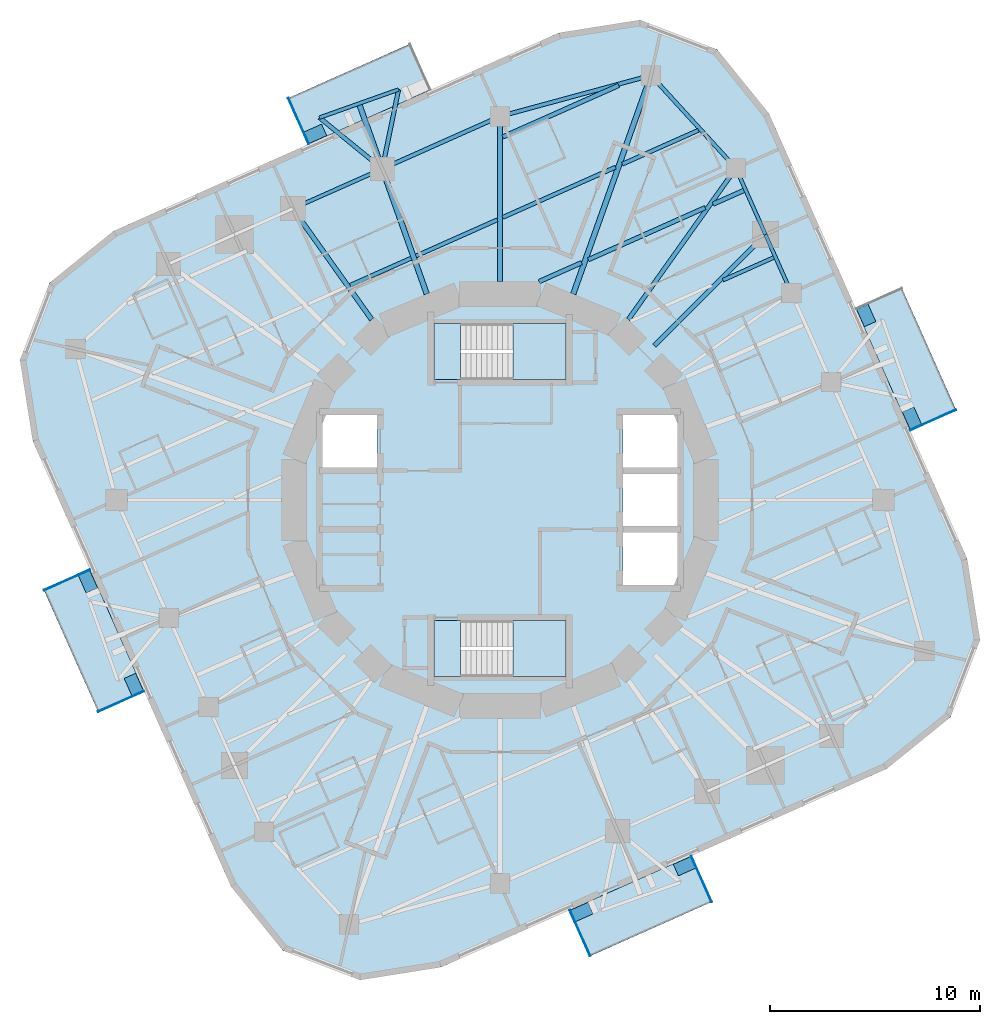
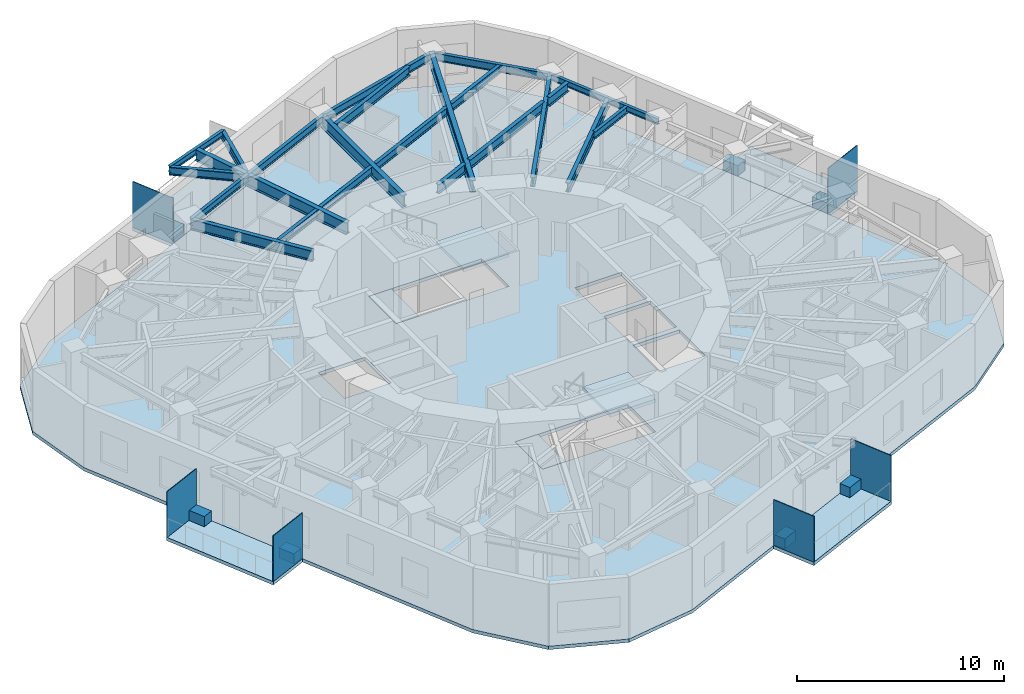
# One storey, part 3 of 12: 24 beams, 13 plates, 9 slabs, 2 elements without a shape of their own.
"""IFC4 building model written with IfcOpenShell, lengths in metres."""

from ifc_helpers import new_model, si_unit, direction, frame, origin, origin_2d, place, context, subcontext, project, spatial, polyline, rectangle, i_section, outline, extrude, material, layer, layer_set, material_profile, profile_set, type_object, element, aggregate, save


model = new_model("IFC4")

# Units and contexts
model_context = context("Model", 3, precision=1e-05, world=origin(), true_north=direction((0.0, 1.0)))
body_context = subcontext(model_context, "Body", "Model", "MODEL_VIEW")
ifc_project = project(units=[si_unit("LENGTHUNIT", "METRE"), si_unit("AREAUNIT", "SQUARE_METRE"), si_unit("VOLUMEUNIT", "CUBIC_METRE"), si_unit("PLANEANGLEUNIT", "RADIAN"), si_unit("MASSUNIT", "GRAM", prefix="KILO")], contexts=[model_context])

# Site, building, storey
site_placement = place(None, origin())
site = spatial("IfcSite", under=ifc_project, at=site_placement, CompositionType="ELEMENT")
building_placement = place(site_placement, origin())
building = spatial("IfcBuilding", under=site, at=building_placement, Name="Nakasero Lantern House", CompositionType="ELEMENT")
storey_placement = place(building_placement, frame((0.0, 0.0, 197.85009765625)))
storey = spatial("IfcBuildingStorey", under=building, at=storey_placement, Name="L48", CompositionType="ELEMENT", Elevation=197.85009765625)

# Beams
ifc_material_1 = material(Name="Steel S355", Category="steel")
ifc_material_profile_1 = material_profile(ifc_material_1, i_section(OverallWidth=0.199462890625, OverallDepth=0.491943359375, WebThickness=0.01806640625, FlangeThickness=0.031982421875, FilletRadius=0.01025390625, at=origin_2d()), Name="UB 457x191x161")
ifc_profile_set_1 = profile_set([ifc_material_profile_1], Name="Steel S355")
beam_type_1 = type_object("IfcBeamType", Name="Balcony splay beam UB 457x191x161", PredefinedType="BEAM", material=ifc_profile_set_1)
beam_1_placement = place(storey_placement, frame((-5.611328125, 15.781982421875, 3.40380859375), z_axis=(-0.774833215206, 0.632165712937, 0.0), x_axis=(-0.632165712937, -0.774833215206, 0.0)))
element("IfcBeam", 1, at=beam_1_placement, inside=storey, type_object=beam_type_1, Name="Balcony splay beam L49 B5-C10A", PredefinedType="BEAM", context=body_context, shape_type="SweptSolid", body=[
    extrude(i_section(OverallWidth=0.199462890625, OverallDepth=0.491943359375, WebThickness=0.01806640625, FlangeThickness=0.031982421875, FilletRadius=0.01025390625, at=origin_2d()), origin(), (0.0, 0.0, 1.0), 3.85888671875),
])
beam_2_placement = place(storey_placement, frame((-5.611328125, 15.781982421875, 3.40380859375), z_axis=(0.201831438605, 0.979420272605, 0.0), x_axis=(-0.979420272605, 0.201831438605, 0.0)))
element("IfcBeam", 2, at=beam_2_placement, inside=storey, type_object=beam_type_1, Name="Balcony splay beam L49 B5-C10B", PredefinedType="BEAM", context=body_context, shape_type="SweptSolid", body=[
    extrude(i_section(OverallWidth=0.199462890625, OverallDepth=0.491943359375, WebThickness=0.01806640625, FlangeThickness=0.031982421875, FilletRadius=0.01025390625, at=origin_2d()), origin(), (0.0, 0.0, 1.0), 3.858642578125),
])
ifc_material_2 = material(Name="Steel S355", Category="steel")
ifc_material_profile_2 = material_profile(ifc_material_2, i_section(OverallWidth=0.17138671875, OverallDepth=0.35498046875, WebThickness=0.00732421875, FlangeThickness=0.011474609375, FilletRadius=0.01025390625, at=origin_2d()), Name="UB 356x171x51")
ifc_profile_set_2 = profile_set([ifc_material_profile_2], Name="Steel S355")
beam_type_2 = type_object("IfcBeamType", Name="Balcony tie beam UB 356x171x51", PredefinedType="BEAM", material=ifc_profile_set_2)
beam_3_placement = place(storey_placement, frame((-8.601318359375, 18.221435546875, 3.472412109375), z_axis=(0.94222839004, 0.334971134582, 0.0), x_axis=(-0.334971134582, 0.94222839004, 0.0)))
element("IfcBeam", 3, at=beam_3_placement, inside=storey, type_object=beam_type_2, Name="Balcony tie beam L49 B5-C10", PredefinedType="BEAM", context=body_context, shape_type="SweptSolid", body=[
    extrude(i_section(OverallWidth=0.17138671875, OverallDepth=0.35498046875, WebThickness=0.00732421875, FlangeThickness=0.011474609375, FilletRadius=0.01025390625, at=origin_2d()), origin(), (0.0, 0.0, 1.0), 4.0),
])
ifc_material_3 = material(Name="Steel S355", Category="steel")
ifc_material_profile_3 = material_profile(ifc_material_3, i_section(OverallWidth=0.177978515625, OverallDepth=0.406494140625, WebThickness=0.0078125, FlangeThickness=0.0126953125, FilletRadius=0.01025390625, at=origin_2d()), Name="UB 406x178x60")
ifc_profile_set_3 = profile_set([ifc_material_profile_3], Name="Steel S355")
beam_type_3 = type_object("IfcBeamType", Name="Infill beam UB 406x178x60", PredefinedType="JOIST", material=ifc_profile_set_3)
beam_4_placement = place(storey_placement, frame((10.626708984375, 10.47802734375, 3.44677734375), z_axis=(0.913529602849, 0.406772251658, 0.0), x_axis=(-0.406772251658, 0.913529602849, 0.0)))
element("IfcBeam", 4, at=beam_4_placement, inside=storey, type_object=beam_type_3, Name="Infill beam L49 09.4", PredefinedType="JOIST", context=body_context, shape_type="SweptSolid", body=[
    extrude(i_section(OverallWidth=0.177978515625, OverallDepth=0.406494140625, WebThickness=0.0078125, FlangeThickness=0.0126953125, FilletRadius=0.01025390625, at=origin_2d()), origin(), (0.0, 0.0, 1.0), 2.64453125),
])
ifc_material_4 = material(Name="Steel S355", Category="steel")
ifc_material_profile_4 = material_profile(ifc_material_4, i_section(OverallWidth=0.18994140625, OverallDepth=0.453369140625, WebThickness=0.008544921875, FlangeThickness=0.0126953125, FilletRadius=0.01025390625, at=origin_2d()), Name="UB 457x191x67")
ifc_profile_set_4 = profile_set([ifc_material_profile_4], Name="Steel S355")
beam_type_4 = type_object("IfcBeamType", Name="Infill beam UB 457x191x67", PredefinedType="JOIST", material=ifc_profile_set_4)
beam_5_placement = place(storey_placement, frame((-7.1357421875, 10.232177734375, 3.423095703125), z_axis=(0.913535738899, 0.406758471029, 0.0), x_axis=(-0.406758471029, 0.913535738899, 0.0)))
element("IfcBeam", 5, at=beam_5_placement, inside=storey, type_object=beam_type_4, Name="Infill beam L49 11.5", PredefinedType="JOIST", context=body_context, shape_type="SweptSolid", body=[
    extrude(i_section(OverallWidth=0.18994140625, OverallDepth=0.453369140625, WebThickness=0.008544921875, FlangeThickness=0.0126953125, FilletRadius=0.01025390625, at=origin_2d()), origin(), (0.0, 0.0, 1.0), 3.17822265625),
])
beam_6_placement = place(storey_placement, frame((-4.0, 11.62841796875, 3.423095703125), z_axis=(0.913552455182, 0.40672092598, 0.0), x_axis=(-0.40672092598, 0.913552455182, 0.0)))
element("IfcBeam", 6, at=beam_6_placement, inside=storey, type_object=beam_type_4, Name="Infill beam L49 11.6", PredefinedType="JOIST", context=body_context, shape_type="SweptSolid", body=[
    extrude(i_section(OverallWidth=0.18994140625, OverallDepth=0.453369140625, WebThickness=0.008544921875, FlangeThickness=0.0126953125, FilletRadius=0.01025390625, at=origin_2d()), origin(), (0.0, 0.0, 1.0), 4.238525390625),
])
beam_7_placement = place(storey_placement, frame((0.1279296875, 13.46630859375, 3.423095703125), z_axis=(0.913542777248, 0.406742663287, 0.0), x_axis=(-0.406742663287, 0.913542777248, 0.0)))
element("IfcBeam", 7, at=beam_7_placement, inside=storey, type_object=beam_type_4, Name="Infill beam L49 11.7", PredefinedType="JOIST", context=body_context, shape_type="SweptSolid", body=[
    extrude(i_section(OverallWidth=0.18994140625, OverallDepth=0.453369140625, WebThickness=0.008544921875, FlangeThickness=0.0126953125, FilletRadius=0.01025390625, at=origin_2d()), origin(), (0.0, 0.0, 1.0), 5.88525390625),
])
beam_8_placement = place(storey_placement, frame((5.824462890625, 16.00244140625, 3.423095703125), z_axis=(0.91354552237, 0.406736497695, 0.0), x_axis=(-0.406736497695, 0.91354552237, 0.0)))
element("IfcBeam", 8, at=beam_8_placement, inside=storey, type_object=beam_type_4, Name="Infill beam L49 11.8", PredefinedType="JOIST", context=body_context, shape_type="SweptSolid", body=[
    extrude(i_section(OverallWidth=0.18994140625, OverallDepth=0.453369140625, WebThickness=0.008544921875, FlangeThickness=0.0126953125, FilletRadius=0.01025390625, at=origin_2d()), origin(), (0.0, 0.0, 1.0), 3.9765625),
])
ifc_material_5 = material(Name="Steel S355", Category="steel")
ifc_material_profile_5 = material_profile(ifc_material_5, i_section(OverallWidth=0.2099609375, OverallDepth=0.53662109375, WebThickness=0.0107421875, FlangeThickness=0.017333984375, FilletRadius=0.0126953125, at=origin_2d()), Name="UB 533x210x101")
ifc_profile_set_5 = profile_set([ifc_material_profile_5], Name="Steel S355")
beam_type_5 = type_object("IfcBeamType", Name="Infill beam UB 533x210x101", PredefinedType="JOIST", material=ifc_profile_set_5)
beam_9_placement = place(storey_placement, frame((0.1279296875, 17.29736328125, 3.381591796875), z_axis=(0.913537020085, 0.406755593611, 0.0), x_axis=(-0.406755593611, 0.913537020085, 0.0)))
element("IfcBeam", 9, at=beam_9_placement, inside=storey, type_object=beam_type_5, Name="Infill beam L49 12.3", PredefinedType="JOIST", context=body_context, shape_type="SweptSolid", body=[
    extrude(i_section(OverallWidth=0.2099609375, OverallDepth=0.53662109375, WebThickness=0.0107421875, FlangeThickness=0.017333984375, FilletRadius=0.0126953125, at=origin_2d()), origin(), (0.0, 0.0, 1.0), 6.0556640625),
])
ifc_material_6 = material(Name="Steel S355", Category="steel")
ifc_material_profile_6 = material_profile(ifc_material_6, i_section(OverallWidth=0.208740234375, OverallDepth=0.5283203125, WebThickness=0.009521484375, FlangeThickness=0.01318359375, FilletRadius=0.0126953125, at=origin_2d()), Name="UB 533x210x82")
ifc_profile_set_6 = profile_set([ifc_material_profile_6], Name="Steel S355")
beam_type_6 = type_object("IfcBeamType", Name="Infill beam UB 533x210x82", PredefinedType="JOIST", material=ifc_profile_set_6)
beam_10_placement = place(storey_placement, frame((1.86376953125, 10.407958984375, 3.3857421875), z_axis=(0.913538457968, 0.406752364238, 0.0), x_axis=(-0.406752364238, 0.913538457968, 0.0)))
element("IfcBeam", 10, at=beam_10_placement, inside=storey, type_object=beam_type_6, Name="Infill beam L49 10.3", PredefinedType="JOIST", context=body_context, shape_type="SweptSolid", body=[
    extrude(i_section(OverallWidth=0.208740234375, OverallDepth=0.5283203125, WebThickness=0.009521484375, FlangeThickness=0.01318359375, FilletRadius=0.0126953125, at=origin_2d()), origin(), (0.0, 0.0, 1.0), 2.213623046875),
])
beam_11_placement = place(storey_placement, frame((4.2060546875, 11.45068359375, 3.3857421875), z_axis=(0.913537341067, 0.406754872713, 0.0), x_axis=(-0.406754872713, 0.913537341067, 0.0)))
element("IfcBeam", 11, at=beam_11_placement, inside=storey, type_object=beam_type_6, Name="Infill beam L49 10.4", PredefinedType="JOIST", context=body_context, shape_type="SweptSolid", body=[
    extrude(i_section(OverallWidth=0.208740234375, OverallDepth=0.5283203125, WebThickness=0.009521484375, FlangeThickness=0.01318359375, FilletRadius=0.0126953125, at=origin_2d()), origin(), (0.0, 0.0, 1.0), 6.099365234375),
])
beam_12_placement = place(storey_placement, frame((10.155029296875, 14.099365234375, 3.3857421875), z_axis=(0.913522313414, 0.406788621884, 0.0), x_axis=(-0.406788621884, 0.913522313414, 0.0)))
element("IfcBeam", 12, at=beam_12_placement, inside=storey, type_object=beam_type_6, Name="Infill beam L49 10.5", PredefinedType="JOIST", context=body_context, shape_type="SweptSolid", body=[
    extrude(i_section(OverallWidth=0.208740234375, OverallDepth=0.5283203125, WebThickness=0.009521484375, FlangeThickness=0.01318359375, FilletRadius=0.0126953125, at=origin_2d()), origin(), (0.0, 0.0, 1.0), 1.6025390625),
])
ifc_material_7 = material(Name="Steel S355", Category="steel")
ifc_material_profile_7 = material_profile(ifc_material_7, i_section(OverallWidth=0.2099609375, OverallDepth=0.53662109375, WebThickness=0.0107421875, FlangeThickness=0.017333984375, FilletRadius=0.0126953125, at=origin_2d()), Name="UB 533x210x101")
ifc_profile_set_7 = profile_set([ifc_material_profile_7], Name="Steel S355")
beam_type_7 = type_object("IfcBeamType", Name="Primary beam UB 533x210x101, span 6 to 9 m", PredefinedType="BEAM", material=ifc_profile_set_7)
beam_13_placement = place(storey_placement, frame((12.64892578125, 12.64892578125, 3.381591796875), z_axis=(-0.707106781187, -0.707106781187, 0.0), x_axis=(0.707106781187, -0.707106781187, 0.0)))
element("IfcBeam", 13, at=beam_13_placement, inside=storey, type_object=beam_type_7, Name="Primary beam L49 B5-C06", PredefinedType="BEAM", context=body_context, shape_type="SweptSolid", body=[
    extrude(i_section(OverallWidth=0.2099609375, OverallDepth=0.53662109375, WebThickness=0.0107421875, FlangeThickness=0.017333984375, FilletRadius=0.0126953125, at=origin_2d()), origin(), (0.0, 0.0, 1.0), 7.48046875),
])
beam_14_placement = place(storey_placement, frame((11.241943359375, 15.808837890625, 3.381591796875), z_axis=(-0.579536824926, -0.814946052543, 0.0), x_axis=(0.814946052543, -0.579536824926, 0.0)))
element("IfcBeam", 14, at=beam_14_placement, inside=storey, type_object=beam_type_7, Name="Primary beam L49 B5-C07", PredefinedType="BEAM", context=body_context, shape_type="SweptSolid", body=[
    extrude(i_section(OverallWidth=0.2099609375, OverallDepth=0.53662109375, WebThickness=0.0107421875, FlangeThickness=0.017333984375, FilletRadius=0.0126953125, at=origin_2d()), origin(), (0.0, 0.0, 1.0), 8.84326171875),
])
ifc_material_8 = material(Name="Steel S355", Category="steel")
ifc_material_profile_8 = material_profile(ifc_material_8, i_section(OverallWidth=0.22900390625, OverallDepth=0.6123046875, WebThickness=0.011962890625, FlangeThickness=0.01953125, FilletRadius=0.0126953125, at=origin_2d()), Name="UB 610x229x125")
ifc_profile_set_8 = profile_set([ifc_material_profile_8], Name="Steel S355")
beam_type_8 = type_object("IfcBeamType", Name="Primary beam UB 610x229x125, span 6 to 9 m", PredefinedType="BEAM", material=ifc_profile_set_8)
beam_15_placement = place(storey_placement, frame((-9.87353515625, 13.884521484375, 3.34375), z_axis=(0.57954101868, -0.8149430702, 0.0), x_axis=(0.8149430702, 0.57954101868, 0.0)))
element("IfcBeam", 15, at=beam_15_placement, inside=storey, type_object=beam_type_8, Name="Primary beam L49 B5-C11", PredefinedType="BEAM", context=body_context, shape_type="SweptSolid", body=[
    extrude(i_section(OverallWidth=0.22900390625, OverallDepth=0.6123046875, WebThickness=0.011962890625, FlangeThickness=0.01953125, FilletRadius=0.0126953125, at=origin_2d()), origin(), (0.0, 0.0, 1.0), 6.48193359375),
])
ifc_material_9 = material(Name="Steel S355", Category="steel")
ifc_material_profile_9 = material_profile(ifc_material_9, i_section(OverallWidth=0.253662109375, OverallDepth=0.68359375, WebThickness=0.012451171875, FlangeThickness=0.01904296875, FilletRadius=0.01513671875, at=origin_2d()), Name="UB 686x254x140")
ifc_profile_set_9 = profile_set([ifc_material_profile_9], Name="Steel S355")
beam_type_9 = type_object("IfcBeamType", Name="Primary beam UB 686x254x140, span 6 to 9 m", PredefinedType="BEAM", material=ifc_profile_set_9)
beam_16_placement = place(storey_placement, frame((-6.717041015625, 18.891357421875, 3.30810546875), z_axis=(0.335030177005, -0.942207397814, 0.0), x_axis=(0.942207397814, 0.335030177005, 0.0)))
element("IfcBeam", 16, at=beam_16_placement, inside=storey, type_object=beam_type_9, Name="Primary beam L49 B5-C10", PredefinedType="BEAM", context=body_context, shape_type="SweptSolid", body=[
    extrude(i_section(OverallWidth=0.253662109375, OverallDepth=0.68359375, WebThickness=0.012451171875, FlangeThickness=0.01904296875, FilletRadius=0.01513671875, at=origin_2d()), origin(), (0.0, 0.0, 1.0), 9.62841796875),
])
ifc_material_10 = material(Name="Steel S355", Category="steel")
ifc_material_profile_10 = material_profile(ifc_material_10, i_section(OverallWidth=0.253662109375, OverallDepth=0.68359375, WebThickness=0.012451171875, FlangeThickness=0.01904296875, FilletRadius=0.01513671875, at=origin_2d()), Name="UB 686x254x140")
ifc_profile_set_10 = profile_set([ifc_material_profile_10], Name="Steel S355")
beam_type_10 = type_object("IfcBeamType", Name="Primary beam UB 686x254x140, span 9 to 12 m", PredefinedType="BEAM", material=ifc_profile_set_10)
beam_17_placement = place(storey_placement, frame((7.19482421875, 20.2353515625, 3.30810546875), z_axis=(-0.335020995468, -0.942210662535, 0.0), x_axis=(0.942210662535, -0.335020995468, 0.0)))
element("IfcBeam", 17, at=beam_17_placement, inside=storey, type_object=beam_type_10, Name="Primary beam L49 B5-C08", PredefinedType="BEAM", context=body_context, shape_type="SweptSolid", body=[
    extrude(i_section(OverallWidth=0.253662109375, OverallDepth=0.68359375, WebThickness=0.012451171875, FlangeThickness=0.01904296875, FilletRadius=0.01513671875, at=origin_2d()), origin(), (0.0, 0.0, 1.0), 11.054931640625),
])
ifc_material_11 = material(Name="Steel S355", Category="steel")
ifc_material_profile_11 = material_profile(ifc_material_11, i_section(OverallWidth=0.255859375, OverallDepth=0.69287109375, WebThickness=0.014404296875, FlangeThickness=0.023681640625, FilletRadius=0.01513671875, at=origin_2d()), Name="UB 686x254x170")
ifc_profile_set_11 = profile_set([ifc_material_profile_11], Name="Steel S355")
beam_type_11 = type_object("IfcBeamType", Name="Primary beam UB 686x254x170, span 6 to 9 m", PredefinedType="BEAM", material=ifc_profile_set_11)
beam_18_placement = place(storey_placement, frame((0.0, 18.280517578125, 3.303466796875), z_axis=(0.0, -1.0, 0.0), x_axis=(1.0, 0.0, 0.0)))
element("IfcBeam", 18, at=beam_18_placement, inside=storey, type_object=beam_type_11, Name="Primary beam L49 B5-C09", PredefinedType="BEAM", context=body_context, shape_type="SweptSolid", body=[
    extrude(i_section(OverallWidth=0.255859375, OverallDepth=0.69287109375, WebThickness=0.014404296875, FlangeThickness=0.023681640625, FilletRadius=0.01513671875, at=origin_2d()), origin(), (0.0, 0.0, 1.0), 7.87255859375),
])
ifc_material_12 = material(Name="Steel S355", Category="steel")
ifc_material_profile_12 = material_profile(ifc_material_12, i_section(OverallWidth=0.17138671875, OverallDepth=0.35498046875, WebThickness=0.00732421875, FlangeThickness=0.011474609375, FilletRadius=0.01025390625, at=origin_2d()), Name="UB 356x171x51")
ifc_profile_set_12 = profile_set([ifc_material_profile_12], Name="Steel S355")
beam_type_12 = type_object("IfcBeamType", Name="Ring beam UB 356x171x51", PredefinedType="BEAM", material=ifc_profile_set_12)
beam_19_placement = place(storey_placement, frame((13.884521484375, 9.87353515625, 3.472412109375), z_axis=(-0.40671251915, 0.913556197925, 0.0), x_axis=(-0.913556197925, -0.40671251915, 0.0)))
element("IfcBeam", 19, at=beam_19_placement, inside=storey, type_object=beam_type_12, Name="Ring beam L49 B5-C05", PredefinedType="BEAM", context=body_context, shape_type="SweptSolid", body=[
    extrude(i_section(OverallWidth=0.17138671875, OverallDepth=0.35498046875, WebThickness=0.00732421875, FlangeThickness=0.011474609375, FilletRadius=0.01025390625, at=origin_2d()), origin(), (0.0, 0.0, 1.0), 3.0380859375),
])
beam_20_placement = place(storey_placement, frame((12.64892578125, 12.64892578125, 3.472412109375), z_axis=(-0.406760506795, 0.913534832457, 0.0), x_axis=(-0.913534832457, -0.406760506795, 0.0)))
element("IfcBeam", 20, at=beam_20_placement, inside=storey, type_object=beam_type_12, Name="Ring beam L49 B5-C06", PredefinedType="BEAM", context=body_context, shape_type="SweptSolid", body=[
    extrude(i_section(OverallWidth=0.17138671875, OverallDepth=0.35498046875, WebThickness=0.00732421875, FlangeThickness=0.011474609375, FilletRadius=0.01025390625, at=origin_2d()), origin(), (0.0, 0.0, 1.0), 3.458984375),
])
ifc_material_13 = material(Name="Steel S355", Category="steel")
ifc_material_profile_13 = material_profile(ifc_material_13, i_section(OverallWidth=0.177978515625, OverallDepth=0.406494140625, WebThickness=0.0078125, FlangeThickness=0.0126953125, FilletRadius=0.01025390625, at=origin_2d()), Name="UB 406x178x60")
ifc_profile_set_13 = profile_set([ifc_material_profile_13], Name="Steel S355")
beam_type_13 = type_object("IfcBeamType", Name="Ring beam UB 406x178x60", PredefinedType="BEAM", material=ifc_profile_set_13)
beam_21_placement = place(storey_placement, frame((-5.611328125, 15.781982421875, 3.44677734375), z_axis=(-0.913561058639, -0.406701600856, 0.0), x_axis=(0.406701600856, -0.913561058639, 0.0)))
element("IfcBeam", 21, at=beam_21_placement, inside=storey, type_object=beam_type_13, Name="Ring beam L49 B5-C10", PredefinedType="BEAM", context=body_context, shape_type="SweptSolid", body=[
    extrude(i_section(OverallWidth=0.177978515625, OverallDepth=0.406494140625, WebThickness=0.0078125, FlangeThickness=0.0126953125, FilletRadius=0.01025390625, at=origin_2d()), origin(), (0.0, 0.0, 1.0), 4.66552734375),
])
ifc_material_14 = material(Name="Steel S355", Category="steel")
ifc_material_profile_14 = material_profile(ifc_material_14, i_section(OverallWidth=0.18994140625, OverallDepth=0.453369140625, WebThickness=0.008544921875, FlangeThickness=0.0126953125, FilletRadius=0.01025390625, at=origin_2d()), Name="UB 457x191x67")
ifc_profile_set_14 = profile_set([ifc_material_profile_14], Name="Steel S355")
beam_type_14 = type_object("IfcBeamType", Name="Ring beam UB 457x191x67", PredefinedType="BEAM", material=ifc_profile_set_14)
beam_22_placement = place(storey_placement, frame((11.241943359375, 15.808837890625, 3.423095703125), z_axis=(-0.674771099966, 0.73802707447, 0.0), x_axis=(-0.73802707447, -0.674771099966, 0.0)))
element("IfcBeam", 22, at=beam_22_placement, inside=storey, type_object=beam_type_14, Name="Ring beam L49 B5-C07", PredefinedType="BEAM", context=body_context, shape_type="SweptSolid", body=[
    extrude(i_section(OverallWidth=0.18994140625, OverallDepth=0.453369140625, WebThickness=0.008544921875, FlangeThickness=0.0126953125, FilletRadius=0.01025390625, at=origin_2d()), origin(), (0.0, 0.0, 1.0), 5.997802734375),
])
beam_23_placement = place(storey_placement, frame((7.19482421875, 20.2353515625, 3.423095703125), z_axis=(-0.965015017941, -0.26219461312, 0.0), x_axis=(0.26219461312, -0.965015017941, 0.0)))
element("IfcBeam", 23, at=beam_23_placement, inside=storey, type_object=beam_type_14, Name="Ring beam L49 B5-C08", PredefinedType="BEAM", context=body_context, shape_type="SweptSolid", body=[
    extrude(i_section(OverallWidth=0.18994140625, OverallDepth=0.453369140625, WebThickness=0.008544921875, FlangeThickness=0.0126953125, FilletRadius=0.01025390625, at=origin_2d()), origin(), (0.0, 0.0, 1.0), 7.45556640625),
])
ifc_material_15 = material(Name="Steel S355", Category="steel")
ifc_material_profile_15 = material_profile(ifc_material_15, i_section(OverallWidth=0.19140625, OverallDepth=0.4599609375, WebThickness=0.010009765625, FlangeThickness=0.01611328125, FilletRadius=0.01025390625, at=origin_2d()), Name="UB 457x191x82")
ifc_profile_set_15 = profile_set([ifc_material_profile_15], Name="Steel S355")
beam_type_15 = type_object("IfcBeamType", Name="Ring beam UB 457x191x82", PredefinedType="BEAM", material=ifc_profile_set_15)
beam_24_placement = place(storey_placement, frame((0.0, 18.280517578125, 3.419921875), z_axis=(-0.913532698569, -0.406765299215, 0.0), x_axis=(0.406765299215, -0.913532698569, 0.0)))
element("IfcBeam", 24, at=beam_24_placement, inside=storey, type_object=beam_type_15, Name="Ring beam L49 B5-C09", PredefinedType="BEAM", context=body_context, shape_type="SweptSolid", body=[
    extrude(i_section(OverallWidth=0.19140625, OverallDepth=0.4599609375, WebThickness=0.010009765625, FlangeThickness=0.01611328125, FilletRadius=0.01025390625, at=origin_2d()), origin(), (0.0, 0.0, 1.0), 6.142333984375),
])

# Plates
ifc_material_16 = material(Name="Aluminium 6063-T6", Category="aluminium")
ifc_layer_1 = layer(ifc_material_16, 0.60009765625)
ifc_layer_set_1 = layer_set([ifc_layer_1], Name="Balcony planter 600x900")
plate_type_1 = type_object("IfcPlateType", Name="Balcony planter 600x900", PredefinedType="USERDEFINED", material=ifc_layer_set_1)
for number, where, z_axis, x_axis, name in (
    (25, (19.629638671875, 3.90283203125, -0.000244140625), (0.0, 0.0, 1.0), (0.913545457643, 0.406736643076, 0.0), "Balcony PLANTER L48 BAL0A"),
    (26, (17.452880859375, 8.791748046875, -0.000244140625), (0.0, 0.0, 1.0), (0.913545457643, 0.406736643076, 0.0), "Balcony PLANTER L48 BAL0B"),
    (27, (-8.791748046875, 17.452880859375, -0.000244140625), (0.0, 0.0, 1.0), (-0.406736643076, 0.913545457643, 0.0), "Balcony PLANTER L48 BAL1B"),
    (28, (-19.629638671875, -3.90283203125, -0.000244140625), (0.0, 0.0, 1.0), (-0.913545457643, -0.406736643076, 0.0), "Balcony PLANTER L48 BAL2A"),
    (29, (-17.452880859375, -8.791748046875, -0.000244140625), (0.0, 0.0, 1.0), (-0.913545457643, -0.406736643076, 0.0), "Balcony PLANTER L48 BAL2B"),
    (30, (3.90283203125, -19.629638671875, -0.000244140625), (0.0, 0.0, 1.0), (0.406736643076, -0.913545457643, 0.0), "Balcony PLANTER L48 BAL3A"),
    (31, (8.791748046875, -17.452880859375, -0.000244140625), (0.0, 0.0, 1.0), (0.406736643076, -0.913545457643, 0.0), "Balcony PLANTER L48 BAL3B"),
):
    element("IfcPlate", number, at=place(storey_placement, frame(where, z_axis=z_axis, x_axis=x_axis)), inside=storey, type_object=plate_type_1, Name=name, ObjectType="PLANTER", PredefinedType="USERDEFINED", context=body_context, shape_type="SweptSolid", body=[
        extrude(rectangle(XDim=0.60009765625, YDim=0.89990234375, at=origin_2d()), origin(), (0.0, 0.0, 1.0), 0.60009765625),
    ])
ifc_material_17 = material(Name="Aluminium 6063-T6", Category="aluminium")
ifc_layer_2 = layer(ifc_material_17, 0.0400390625)
ifc_layer_set_2 = layer_set([ifc_layer_2], Name="Balcony screen 2400x2700")
plate_type_2 = type_object("IfcPlateType", Name="Balcony screen 2400x2700", PredefinedType="SHEET", material=ifc_layer_set_2)
for number, where, z_axis, x_axis, name in (
    (32, (20.6328125, 3.813232421875, 0.0), (0.0, 0.0, 1.0), (0.913545457643, 0.406736643076, 0.0), "Balcony SCREEN L48 BAL0A"),
    (33, (-9.59716796875, 18.0576171875, 0.0), (0.0, 0.0, 1.0), (-0.406736643076, 0.913545457643, 0.0), "Balcony SCREEN L48 BAL1B"),
    (34, (-20.6328125, -3.813232421875, 0.0), (0.0, 0.0, 1.0), (-0.913545457643, -0.406736643076, 0.0), "Balcony SCREEN L48 BAL2A"),
    (35, (-18.0576171875, -9.59716796875, 0.0), (0.0, 0.0, 1.0), (-0.913545457643, -0.406736643076, 0.0), "Balcony SCREEN L48 BAL2B"),
    (36, (3.813232421875, -20.6328125, 0.0), (0.0, 0.0, 1.0), (0.406736643076, -0.913545457643, 0.0), "Balcony SCREEN L48 BAL3A"),
    (37, (9.59716796875, -18.0576171875, 0.0), (0.0, 0.0, 1.0), (0.406736643076, -0.913545457643, 0.0), "Balcony SCREEN L48 BAL3B"),
):
    element("IfcPlate", number, at=place(storey_placement, frame(where, z_axis=z_axis, x_axis=x_axis)), inside=storey, type_object=plate_type_2, Name=name, PredefinedType="SHEET", context=body_context, shape_type="SweptSolid", body=[
        extrude(rectangle(XDim=2.39990234375, YDim=0.0400390625, at=origin_2d()), origin(), (0.0, 0.0, 1.0), 2.699951171875),
    ])

# Slabs
ifc_material_18 = material(Name="Concrete C35/45", Category="concrete")
ifc_layer_3 = layer(ifc_material_18, 0.199951171875)
ifc_layer_set_3 = layer_set([ifc_layer_3], Name="Balcony slab 200")
slab_type_1 = type_object("IfcSlabType", Name="Balcony slab 200", PredefinedType="USERDEFINED", material=ifc_layer_set_3)
slab_1_placement = place(storey_placement, frame((0.0, 0.0, -0.2001953125)))
element("IfcSlab", 38, at=slab_1_placement, inside=storey, type_object=slab_type_1, Name="Balcony L48 BAL0", ObjectType="BALCONY", PredefinedType="USERDEFINED", context=body_context, shape_type="SweptSolid", body=[
    extrude(outline(polyline([(19.544677734375, 3.306884765625), (21.7373046875, 4.282958984375), (19.145751953125, 10.103515625), (16.953125, 9.12744140625), (19.544677734375, 3.306884765625)])), origin(), (0.0, 0.0, 1.0), 0.2001953125),
])
slab_2_placement = place(storey_placement, frame((0.0, 0.0, -0.2001953125)))
element("IfcSlab", 39, at=slab_2_placement, inside=storey, type_object=slab_type_1, Name="Balcony L48 BAL1", ObjectType="BALCONY", PredefinedType="USERDEFINED", context=body_context, shape_type="SweptSolid", body=[
    extrude(outline(polyline([(-3.306884765625, 19.544677734375), (-4.282958984375, 21.7373046875), (-10.103515625, 19.145751953125), (-9.12744140625, 16.953125), (-3.306884765625, 19.544677734375)])), origin(), (0.0, 0.0, 1.0), 0.2001953125),
])
slab_3_placement = place(storey_placement, frame((0.0, 0.0, -0.2001953125)))
element("IfcSlab", 40, at=slab_3_placement, inside=storey, type_object=slab_type_1, Name="Balcony L48 BAL2", ObjectType="BALCONY", PredefinedType="USERDEFINED", context=body_context, shape_type="SweptSolid", body=[
    extrude(outline(polyline([(-19.544677734375, -3.306884765625), (-21.7373046875, -4.282958984375), (-19.145751953125, -10.103515625), (-16.953125, -9.12744140625), (-19.544677734375, -3.306884765625)])), origin(), (0.0, 0.0, 1.0), 0.2001953125),
])
slab_4_placement = place(storey_placement, frame((0.0, 0.0, -0.2001953125)))
element("IfcSlab", 41, at=slab_4_placement, inside=storey, type_object=slab_type_1, Name="Balcony L48 BAL3", ObjectType="BALCONY", PredefinedType="USERDEFINED", context=body_context, shape_type="SweptSolid", body=[
    extrude(outline(polyline([(3.306884765625, -19.544677734375), (4.282958984375, -21.7373046875), (10.103515625, -19.145751953125), (9.12744140625, -16.953125), (3.306884765625, -19.544677734375)])), origin(), (0.0, 0.0, 1.0), 0.2001953125),
])
ifc_material_19 = material(Name="Concrete C35/45", Category="concrete")
ifc_layer_4 = layer(ifc_material_19, 0.199951171875)
ifc_layer_set_4 = layer_set([ifc_layer_4], Name="Composite floor slab 200")
slab_type_2 = type_object("IfcSlabType", Name="Composite floor slab 200", PredefinedType="FLOOR", material=ifc_layer_set_4)
slab_5_placement = place(storey_placement, frame((0.0, 0.0, -0.2001953125)))
element("IfcSlab", 42, at=slab_5_placement, inside=storey, type_object=slab_type_2, Name="Floor slab L48", PredefinedType="FLOOR", context=body_context, shape_type="SweptSolid", body=[
    extrude(outline(polyline([(12.822021484375, 18.406494140625), (10.34619140625, 21.4638671875), (6.67333984375, 22.87353515625), (2.787841796875, 22.25830078125), (-18.406494140625, 12.822021484375), (-21.4638671875, 10.34619140625), (-22.87353515625, 6.67333984375), (-22.25830078125, 2.787841796875), (-12.822021484375, -18.406494140625), (-10.34619140625, -21.4638671875), (-6.67333984375, -22.87353515625), (-2.787841796875, -22.25830078125), (18.406494140625, -12.822021484375), (21.4638671875, -10.34619140625), (22.87353515625, -6.67333984375), (22.25830078125, -2.787841796875), (12.822021484375, 18.406494140625)]), holes=[polyline([(-8.449951171875, 1.550048828125), (-5.85009765625, 1.550048828125), (-5.85009765625, 4.050048828125), (-8.449951171875, 4.050048828125), (-8.449951171875, 1.550048828125)]), polyline([(5.85009765625, -4.050048828125), (8.449951171875, -4.050048828125), (8.449951171875, -1.550048828125), (5.85009765625, -1.550048828125), (5.85009765625, -4.050048828125)]), polyline([(5.85009765625, -1.25), (8.449951171875, -1.25), (8.449951171875, 1.25), (5.85009765625, 1.25), (5.85009765625, -1.25)]), polyline([(5.85009765625, 1.550048828125), (8.449951171875, 1.550048828125), (8.449951171875, 4.050048828125), (5.85009765625, 4.050048828125), (5.85009765625, 1.550048828125)]), polyline([(-3.14990234375, 5.75), (3.14990234375, 5.75), (3.14990234375, 8.39990234375), (-3.14990234375, 8.39990234375), (-3.14990234375, 5.75)]), polyline([(-3.14990234375, -8.39990234375), (3.14990234375, -8.39990234375), (3.14990234375, -5.75), (-3.14990234375, -5.75), (-3.14990234375, -8.39990234375)])]), origin(), (0.0, 0.0, 1.0), 0.2001953125),
])

# Stair, slabs
ifc_material_20 = material(Name="Concrete C40/50", Category="concrete")
stair_type_1 = type_object("IfcStairType", Name="Escape stair ST1 22 risers", PredefinedType="HALF_TURN_STAIR", material=ifc_material_20)
stair_1_placement = place(storey_placement, origin())
stair_1 = element("IfcStair", 43, at=stair_1_placement, inside=storey, type_object=stair_type_1, Name="Escape stair ST1 L48", PredefinedType="HALF_TURN_STAIR")
ifc_material_21 = material(Name="Concrete C40/50", Category="concrete")
ifc_layer_5 = layer(ifc_material_21, 0.199951171875)
ifc_layer_set_5 = layer_set([ifc_layer_5], Name="Stair landing 200")
slab_type_3 = type_object("IfcSlabType", Name="Stair landing 200", PredefinedType="LANDING", material=ifc_layer_set_5)
slab_6_placement = place(storey_placement, frame((0.0, 0.0, -0.2001953125)))
slab_6 = element("IfcSlab", 44, at=slab_6_placement, type_object=slab_type_3, Name="ST1 landing 1", PredefinedType="LANDING", context=body_context, shape_type="SweptSolid", body=[
    extrude(outline(polyline([(-3.14990234375, 5.75), (-1.875, 5.75), (-1.875, 8.39990234375), (-3.14990234375, 8.39990234375), (-3.14990234375, 5.75)])), origin(), (0.0, 0.0, 1.0), 0.2001953125),
])
slab_7_placement = place(storey_placement, frame((0.0, 0.0, 1.724853515625)))
slab_7 = element("IfcSlab", 45, at=slab_7_placement, type_object=slab_type_3, Name="ST1 landing 2", PredefinedType="LANDING", context=body_context, shape_type="SweptSolid", body=[
    extrude(outline(polyline([(0.625, 5.75), (3.14990234375, 5.75), (3.14990234375, 8.39990234375), (0.625, 8.39990234375), (0.625, 5.75)])), origin(), (0.0, 0.0, 1.0), 0.199951171875),
])
aggregate(stair_1, [slab_6, slab_7])

ifc_material_22 = material(Name="Concrete C40/50", Category="concrete")
stair_type_2 = type_object("IfcStairType", Name="Escape stair ST2 22 risers", PredefinedType="HALF_TURN_STAIR", material=ifc_material_22)
stair_2_placement = place(storey_placement, origin())
stair_2 = element("IfcStair", 46, at=stair_2_placement, inside=storey, type_object=stair_type_2, Name="Escape stair ST2 L48", PredefinedType="HALF_TURN_STAIR")
slab_8_placement = place(storey_placement, frame((0.0, 0.0, -0.2001953125)))
slab_8 = element("IfcSlab", 47, at=slab_8_placement, type_object=slab_type_3, Name="ST2 landing 1", PredefinedType="LANDING", context=body_context, shape_type="SweptSolid", body=[
    extrude(outline(polyline([(-3.14990234375, -8.39990234375), (-1.875, -8.39990234375), (-1.875, -5.75), (-3.14990234375, -5.75), (-3.14990234375, -8.39990234375)])), origin(), (0.0, 0.0, 1.0), 0.2001953125),
])
slab_9_placement = place(storey_placement, frame((0.0, 0.0, 1.724853515625)))
slab_9 = element("IfcSlab", 48, at=slab_9_placement, type_object=slab_type_3, Name="ST2 landing 2", PredefinedType="LANDING", context=body_context, shape_type="SweptSolid", body=[
    extrude(outline(polyline([(0.625, -8.39990234375), (3.14990234375, -8.39990234375), (3.14990234375, -5.75), (0.625, -5.75), (0.625, -8.39990234375)])), origin(), (0.0, 0.0, 1.0), 0.199951171875),
])
aggregate(stair_2, [slab_8, slab_9])

save(model, "model.ifc")
